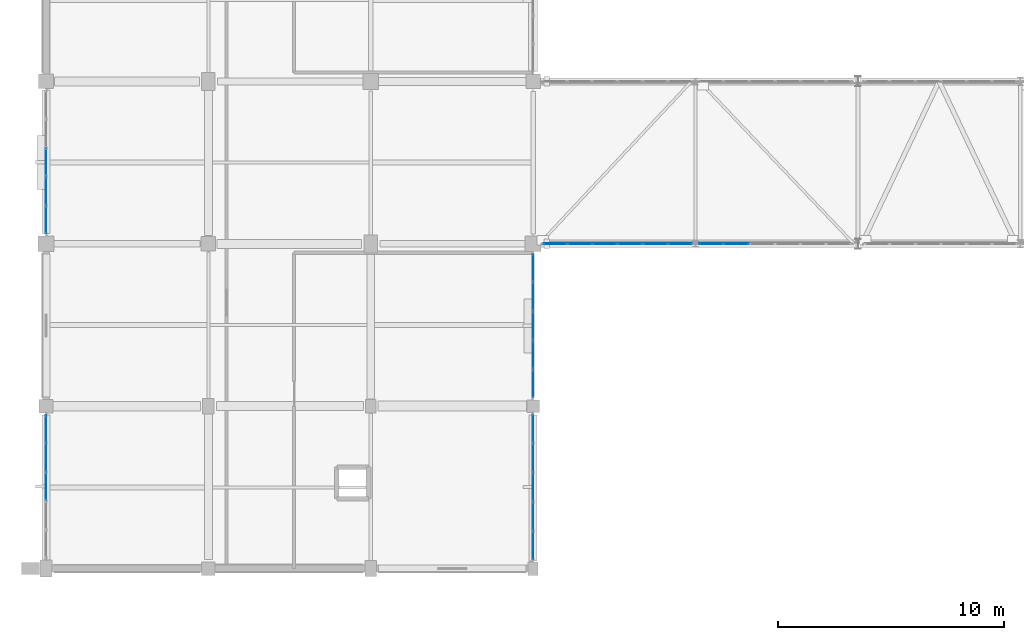
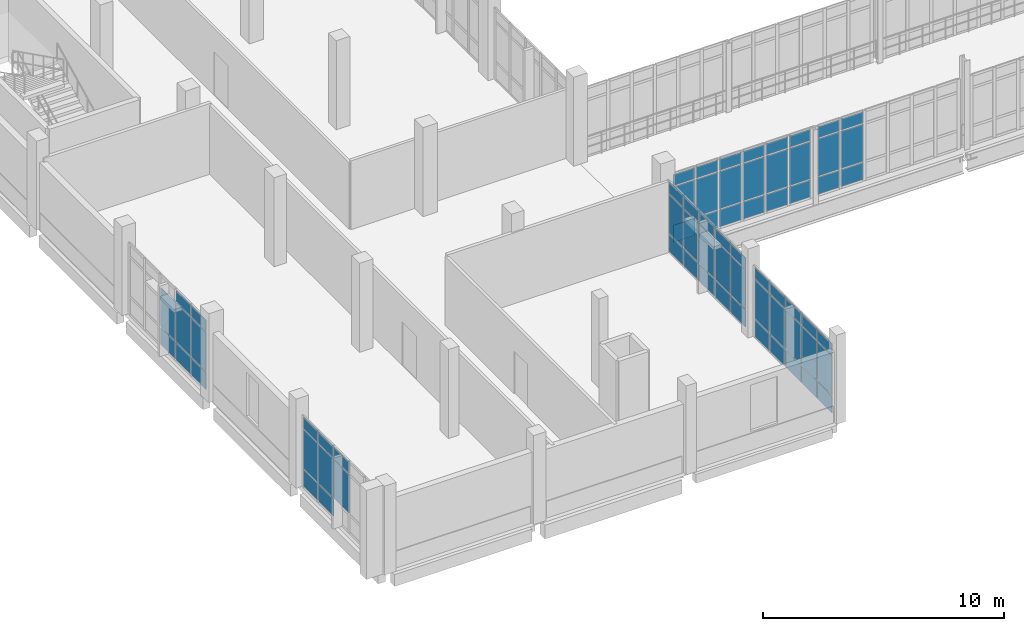
# One storey, part 87 of 124: 70 plates, 6 elements without a shape of their own.
"""IFC4 building model written with IfcOpenShell, lengths in metres."""

from ifc_helpers import new_model, si_unit, direction, frame, origin, origin_2d, place, context, subcontext, project, spatial, rectangle, extrude, material, layer, layer_set, type_object, element, aggregate, save


model = new_model("IFC4")

# Units and contexts
model_context = context("Model", 3, precision=1e-05, world=origin(), true_north=direction((0.0, 1.0)))
body_context = subcontext(model_context, "Body", "Model", "MODEL_VIEW")
ifc_project = project(units=[si_unit("LENGTHUNIT", "METRE"), si_unit("AREAUNIT", "SQUARE_METRE"), si_unit("VOLUMEUNIT", "CUBIC_METRE"), si_unit("PLANEANGLEUNIT", "RADIAN"), si_unit("MASSUNIT", "GRAM", prefix="KILO")], contexts=[model_context])

# Site, building, storey
site_placement = place(None, origin())
site = spatial("IfcSite", under=ifc_project, at=site_placement, CompositionType="ELEMENT")
building_placement = place(site_placement, origin())
building = spatial("IfcBuilding", under=site, at=building_placement, Name="Kalluvel Institute of Natural Sciences", CompositionType="ELEMENT")
storey_placement = place(building_placement, frame((0.0, 0.0, 9.89990234375)))
storey = spatial("IfcBuildingStorey", under=building, at=storey_placement, Name="L02", CompositionType="ELEMENT", Elevation=9.89990234375)

# Curtain wall, plates
ifc_material_1 = material(Name="Aluminium AW-6063 T6", Category="aluminium")
curtain_wall_type_1 = type_object("IfcCurtainWallType", Name="CW-DRY-45", PredefinedType="USERDEFINED", material=ifc_material_1)
curtain_wall_1_placement = place(storey_placement, origin())
curtain_wall_1 = element("IfcCurtainWall", 1, at=curtain_wall_1_placement, inside=storey, type_object=curtain_wall_type_1, Name="L02 Gothic lancet curtain wall CWA-L02-X140-Y144", ObjectType="UNITISED LANCET FACADE", PredefinedType="USERDEFINED")
ifc_material_2 = material(Name="Solar-Control Low-E Laminated Glass", Category="glass")
ifc_layer_1 = layer(ifc_material_2, 0.028076171875)
ifc_layer_set_1 = layer_set([ifc_layer_1], Name="Solar-Control Low-E Laminated Glass")
plate_type_1 = type_object("IfcPlateType", Name="CWP-DGU-28", PredefinedType="CURTAIN_PANEL", material=ifc_layer_set_1)
plate_1_placement = place(storey_placement, frame((14.0, 17.637451171875, 0.980224609375), z_axis=(0.0, 0.0, 1.0), x_axis=(0.0, 1.0, 0.0)))
plate_1 = element("IfcPlate", 2, at=plate_1_placement, type_object=plate_type_1, Name="CW-03 panel 3.2", PredefinedType="CURTAIN_PANEL", context=body_context, shape_type="SweptSolid", body=[
    extrude(rectangle(XDim=1.22509765625, YDim=0.028076171875, at=origin_2d()), origin(), (0.0, 0.0, 1.0), 1.9599609375),
])
plate_2_placement = place(storey_placement, frame((14.0, 17.637451171875, 3.0), z_axis=(0.0, 0.0, 1.0), x_axis=(0.0, 1.0, 0.0)))
plate_2 = element("IfcPlate", 3, at=plate_2_placement, type_object=plate_type_1, Name="CW-03 panel 3.3", PredefinedType="CURTAIN_PANEL", context=body_context, shape_type="SweptSolid", body=[
    extrude(rectangle(XDim=1.22509765625, YDim=0.028076171875, at=origin_2d()), origin(), (0.0, 0.0, 1.0), 0.56005859375),
])
plate_3_placement = place(storey_placement, frame((14.0, 18.922607421875, 0.06005859375), z_axis=(0.0, 0.0, 1.0), x_axis=(0.0, 1.0, 0.0)))
plate_3 = element("IfcPlate", 4, at=plate_3_placement, type_object=plate_type_1, Name="CW-03 panel 4.1", PredefinedType="CURTAIN_PANEL", context=body_context, shape_type="SweptSolid", body=[
    extrude(rectangle(XDim=1.22509765625, YDim=0.028076171875, at=origin_2d()), origin(), (0.0, 0.0, 1.0), 0.860107421875),
])
plate_4_placement = place(storey_placement, frame((14.0, 18.922607421875, 0.980224609375), z_axis=(0.0, 0.0, 1.0), x_axis=(0.0, 1.0, 0.0)))
plate_4 = element("IfcPlate", 5, at=plate_4_placement, type_object=plate_type_1, Name="CW-03 panel 4.2", PredefinedType="CURTAIN_PANEL", context=body_context, shape_type="SweptSolid", body=[
    extrude(rectangle(XDim=1.22509765625, YDim=0.028076171875, at=origin_2d()), origin(), (0.0, 0.0, 1.0), 1.9599609375),
])
plate_5_placement = place(storey_placement, frame((14.0, 18.922607421875, 3.0), z_axis=(0.0, 0.0, 1.0), x_axis=(0.0, 1.0, 0.0)))
plate_5 = element("IfcPlate", 6, at=plate_5_placement, type_object=plate_type_1, Name="CW-03 panel 4.3", PredefinedType="CURTAIN_PANEL", context=body_context, shape_type="SweptSolid", body=[
    extrude(rectangle(XDim=1.22509765625, YDim=0.028076171875, at=origin_2d()), origin(), (0.0, 0.0, 1.0), 0.56005859375),
])
plate_6_placement = place(storey_placement, frame((14.0, 20.1923828125, 0.06005859375), z_axis=(0.0, 0.0, 1.0), x_axis=(0.0, 1.0, 0.0)))
plate_6 = element("IfcPlate", 7, at=plate_6_placement, type_object=plate_type_1, Name="CW-03 panel 5.1", PredefinedType="CURTAIN_PANEL", context=body_context, shape_type="SweptSolid", body=[
    extrude(rectangle(XDim=1.195068359375, YDim=0.028076171875, at=origin_2d()), origin(), (0.0, 0.0, 1.0), 0.860107421875),
])
plate_7_placement = place(storey_placement, frame((14.0, 20.1923828125, 0.980224609375), z_axis=(0.0, 0.0, 1.0), x_axis=(0.0, 1.0, 0.0)))
plate_7 = element("IfcPlate", 8, at=plate_7_placement, type_object=plate_type_1, Name="CW-03 panel 5.2", PredefinedType="CURTAIN_PANEL", context=body_context, shape_type="SweptSolid", body=[
    extrude(rectangle(XDim=1.195068359375, YDim=0.028076171875, at=origin_2d()), origin(), (0.0, 0.0, 1.0), 1.9599609375),
])
plate_8_placement = place(storey_placement, frame((14.0, 20.1923828125, 3.0), z_axis=(0.0, 0.0, 1.0), x_axis=(0.0, 1.0, 0.0)))
plate_8 = element("IfcPlate", 9, at=plate_8_placement, type_object=plate_type_1, Name="CW-03 panel 5.3", PredefinedType="CURTAIN_PANEL", context=body_context, shape_type="SweptSolid", body=[
    extrude(rectangle(XDim=1.195068359375, YDim=0.028076171875, at=origin_2d()), origin(), (0.0, 0.0, 1.0), 0.56005859375),
])
aggregate(curtain_wall_1, [plate_1, plate_2, plate_3, plate_4, plate_5, plate_6, plate_7, plate_8])

curtain_wall_2_placement = place(storey_placement, origin())
curtain_wall_2 = element("IfcCurtainWall", 10, at=curtain_wall_2_placement, inside=storey, type_object=curtain_wall_type_1, Name="L02 Gothic lancet curtain wall CWA-L02-X140-Y288", ObjectType="UNITISED LANCET FACADE", PredefinedType="USERDEFINED")
plate_9_placement = place(storey_placement, frame((14.0, 29.45751953125, 0.06005859375), z_axis=(0.0, 0.0, 1.0), x_axis=(0.0, 1.0, 0.0)))
plate_9 = element("IfcPlate", 11, at=plate_9_placement, type_object=plate_type_1, Name="CW-03 panel 1.1", PredefinedType="CURTAIN_PANEL", context=body_context, shape_type="SweptSolid", body=[
    extrude(rectangle(XDim=1.195068359375, YDim=0.028076171875, at=origin_2d()), origin(), (0.0, 0.0, 1.0), 0.860107421875),
])
plate_10_placement = place(storey_placement, frame((14.0, 29.45751953125, 0.980224609375), z_axis=(0.0, 0.0, 1.0), x_axis=(0.0, 1.0, 0.0)))
plate_10 = element("IfcPlate", 12, at=plate_10_placement, type_object=plate_type_1, Name="CW-03 panel 1.2", PredefinedType="CURTAIN_PANEL", context=body_context, shape_type="SweptSolid", body=[
    extrude(rectangle(XDim=1.195068359375, YDim=0.028076171875, at=origin_2d()), origin(), (0.0, 0.0, 1.0), 1.9599609375),
])
plate_11_placement = place(storey_placement, frame((14.0, 29.45751953125, 3.0), z_axis=(0.0, 0.0, 1.0), x_axis=(0.0, 1.0, 0.0)))
plate_11 = element("IfcPlate", 13, at=plate_11_placement, type_object=plate_type_1, Name="CW-03 panel 1.3", PredefinedType="CURTAIN_PANEL", context=body_context, shape_type="SweptSolid", body=[
    extrude(rectangle(XDim=1.195068359375, YDim=0.028076171875, at=origin_2d()), origin(), (0.0, 0.0, 1.0), 0.56005859375),
])
plate_12_placement = place(storey_placement, frame((14.0, 30.7275390625, 0.06005859375), z_axis=(0.0, 0.0, 1.0), x_axis=(0.0, 1.0, 0.0)))
plate_12 = element("IfcPlate", 14, at=plate_12_placement, type_object=plate_type_1, Name="CW-03 panel 2.1", PredefinedType="CURTAIN_PANEL", context=body_context, shape_type="SweptSolid", body=[
    extrude(rectangle(XDim=1.22509765625, YDim=0.028076171875, at=origin_2d()), origin(), (0.0, 0.0, 1.0), 0.860107421875),
])
plate_13_placement = place(storey_placement, frame((14.0, 30.7275390625, 0.980224609375), z_axis=(0.0, 0.0, 1.0), x_axis=(0.0, 1.0, 0.0)))
plate_13 = element("IfcPlate", 15, at=plate_13_placement, type_object=plate_type_1, Name="CW-03 panel 2.2", PredefinedType="CURTAIN_PANEL", context=body_context, shape_type="SweptSolid", body=[
    extrude(rectangle(XDim=1.22509765625, YDim=0.028076171875, at=origin_2d()), origin(), (0.0, 0.0, 1.0), 1.9599609375),
])
plate_14_placement = place(storey_placement, frame((14.0, 30.7275390625, 3.0), z_axis=(0.0, 0.0, 1.0), x_axis=(0.0, 1.0, 0.0)))
plate_14 = element("IfcPlate", 16, at=plate_14_placement, type_object=plate_type_1, Name="CW-03 panel 2.3", PredefinedType="CURTAIN_PANEL", context=body_context, shape_type="SweptSolid", body=[
    extrude(rectangle(XDim=1.22509765625, YDim=0.028076171875, at=origin_2d()), origin(), (0.0, 0.0, 1.0), 0.56005859375),
])
plate_15_placement = place(storey_placement, frame((14.0, 32.012451171875, 0.06005859375), z_axis=(0.0, 0.0, 1.0), x_axis=(0.0, 1.0, 0.0)))
plate_15 = element("IfcPlate", 17, at=plate_15_placement, type_object=plate_type_1, Name="CW-03 panel 3.1", PredefinedType="CURTAIN_PANEL", context=body_context, shape_type="SweptSolid", body=[
    extrude(rectangle(XDim=1.22509765625, YDim=0.028076171875, at=origin_2d()), origin(), (0.0, 0.0, 1.0), 0.860107421875),
])
plate_16_placement = place(storey_placement, frame((14.0, 32.012451171875, 0.980224609375), z_axis=(0.0, 0.0, 1.0), x_axis=(0.0, 1.0, 0.0)))
plate_16 = element("IfcPlate", 18, at=plate_16_placement, type_object=plate_type_1, Name="CW-03 panel 3.2", PredefinedType="CURTAIN_PANEL", context=body_context, shape_type="SweptSolid", body=[
    extrude(rectangle(XDim=1.22509765625, YDim=0.028076171875, at=origin_2d()), origin(), (0.0, 0.0, 1.0), 1.9599609375),
])
aggregate(curtain_wall_2, [plate_9, plate_10, plate_11, plate_12, plate_13, plate_14, plate_15, plate_16])

curtain_wall_3_placement = place(storey_placement, origin())
curtain_wall_3 = element("IfcCurtainWall", 19, at=curtain_wall_3_placement, inside=storey, type_object=curtain_wall_type_1, Name="L02 Gothic lancet curtain wall CWA-L02-X356-Y144", ObjectType="UNITISED LANCET FACADE", PredefinedType="USERDEFINED")
plate_17_placement = place(storey_placement, frame((35.60009765625, 15.017578125, 0.06005859375), z_axis=(0.0, 0.0, 1.0), x_axis=(0.0, 1.0, 0.0)))
plate_17 = element("IfcPlate", 20, at=plate_17_placement, type_object=plate_type_1, Name="CW-03 panel 1.1", PredefinedType="CURTAIN_PANEL", context=body_context, shape_type="SweptSolid", body=[
    extrude(rectangle(XDim=1.215087890625, YDim=0.028076171875, at=origin_2d()), origin(), (0.0, 0.0, 1.0), 0.860107421875),
])
plate_18_placement = place(storey_placement, frame((35.60009765625, 15.017578125, 0.980224609375), z_axis=(0.0, 0.0, 1.0), x_axis=(0.0, 1.0, 0.0)))
plate_18 = element("IfcPlate", 21, at=plate_18_placement, type_object=plate_type_1, Name="CW-03 panel 1.2", PredefinedType="CURTAIN_PANEL", context=body_context, shape_type="SweptSolid", body=[
    extrude(rectangle(XDim=1.215087890625, YDim=0.028076171875, at=origin_2d()), origin(), (0.0, 0.0, 1.0), 1.9599609375),
])
plate_19_placement = place(storey_placement, frame((35.60009765625, 15.017578125, 3.0), z_axis=(0.0, 0.0, 1.0), x_axis=(0.0, 1.0, 0.0)))
plate_19 = element("IfcPlate", 22, at=plate_19_placement, type_object=plate_type_1, Name="CW-03 panel 1.3", PredefinedType="CURTAIN_PANEL", context=body_context, shape_type="SweptSolid", body=[
    extrude(rectangle(XDim=1.215087890625, YDim=0.028076171875, at=origin_2d()), origin(), (0.0, 0.0, 1.0), 0.56005859375),
])
plate_20_placement = place(storey_placement, frame((35.60009765625, 16.3076171875, 0.06005859375), z_axis=(0.0, 0.0, 1.0), x_axis=(0.0, 1.0, 0.0)))
plate_20 = element("IfcPlate", 23, at=plate_20_placement, type_object=plate_type_1, Name="CW-03 panel 2.1", PredefinedType="CURTAIN_PANEL", context=body_context, shape_type="SweptSolid", body=[
    extrude(rectangle(XDim=1.2451171875, YDim=0.028076171875, at=origin_2d()), origin(), (0.0, 0.0, 1.0), 0.860107421875),
])
plate_21_placement = place(storey_placement, frame((35.60009765625, 16.3076171875, 0.980224609375), z_axis=(0.0, 0.0, 1.0), x_axis=(0.0, 1.0, 0.0)))
plate_21 = element("IfcPlate", 24, at=plate_21_placement, type_object=plate_type_1, Name="CW-03 panel 2.2", PredefinedType="CURTAIN_PANEL", context=body_context, shape_type="SweptSolid", body=[
    extrude(rectangle(XDim=1.2451171875, YDim=0.028076171875, at=origin_2d()), origin(), (0.0, 0.0, 1.0), 1.9599609375),
])
plate_22_placement = place(storey_placement, frame((35.60009765625, 16.3076171875, 3.0), z_axis=(0.0, 0.0, 1.0), x_axis=(0.0, 1.0, 0.0)))
plate_22 = element("IfcPlate", 25, at=plate_22_placement, type_object=plate_type_1, Name="CW-03 panel 2.3", PredefinedType="CURTAIN_PANEL", context=body_context, shape_type="SweptSolid", body=[
    extrude(rectangle(XDim=1.2451171875, YDim=0.028076171875, at=origin_2d()), origin(), (0.0, 0.0, 1.0), 0.56005859375),
])
plate_23_placement = place(storey_placement, frame((35.60009765625, 17.612548828125, 0.06005859375), z_axis=(0.0, 0.0, 1.0), x_axis=(0.0, 1.0, 0.0)))
plate_23 = element("IfcPlate", 26, at=plate_23_placement, type_object=plate_type_1, Name="CW-03 panel 3.1", PredefinedType="CURTAIN_PANEL", context=body_context, shape_type="SweptSolid", body=[
    extrude(rectangle(XDim=1.2451171875, YDim=0.028076171875, at=origin_2d()), origin(), (0.0, 0.0, 1.0), 0.860107421875),
])
plate_24_placement = place(storey_placement, frame((35.60009765625, 17.612548828125, 0.980224609375), z_axis=(0.0, 0.0, 1.0), x_axis=(0.0, 1.0, 0.0)))
plate_24 = element("IfcPlate", 27, at=plate_24_placement, type_object=plate_type_1, Name="CW-03 panel 3.2", PredefinedType="CURTAIN_PANEL", context=body_context, shape_type="SweptSolid", body=[
    extrude(rectangle(XDim=1.2451171875, YDim=0.028076171875, at=origin_2d()), origin(), (0.0, 0.0, 1.0), 1.9599609375),
])
plate_25_placement = place(storey_placement, frame((35.60009765625, 17.612548828125, 3.0), z_axis=(0.0, 0.0, 1.0), x_axis=(0.0, 1.0, 0.0)))
plate_25 = element("IfcPlate", 28, at=plate_25_placement, type_object=plate_type_1, Name="CW-03 panel 3.3", PredefinedType="CURTAIN_PANEL", context=body_context, shape_type="SweptSolid", body=[
    extrude(rectangle(XDim=1.2451171875, YDim=0.028076171875, at=origin_2d()), origin(), (0.0, 0.0, 1.0), 0.56005859375),
])
plate_26_placement = place(storey_placement, frame((35.60009765625, 18.91748046875, 0.06005859375), z_axis=(0.0, 0.0, 1.0), x_axis=(0.0, 1.0, 0.0)))
plate_26 = element("IfcPlate", 29, at=plate_26_placement, type_object=plate_type_1, Name="CW-03 panel 4.1", PredefinedType="CURTAIN_PANEL", context=body_context, shape_type="SweptSolid", body=[
    extrude(rectangle(XDim=1.2451171875, YDim=0.028076171875, at=origin_2d()), origin(), (0.0, 0.0, 1.0), 0.860107421875),
])
plate_27_placement = place(storey_placement, frame((35.60009765625, 18.91748046875, 0.980224609375), z_axis=(0.0, 0.0, 1.0), x_axis=(0.0, 1.0, 0.0)))
plate_27 = element("IfcPlate", 30, at=plate_27_placement, type_object=plate_type_1, Name="CW-03 panel 4.2", PredefinedType="CURTAIN_PANEL", context=body_context, shape_type="SweptSolid", body=[
    extrude(rectangle(XDim=1.2451171875, YDim=0.028076171875, at=origin_2d()), origin(), (0.0, 0.0, 1.0), 1.9599609375),
])
plate_28_placement = place(storey_placement, frame((35.60009765625, 18.91748046875, 3.0), z_axis=(0.0, 0.0, 1.0), x_axis=(0.0, 1.0, 0.0)))
plate_28 = element("IfcPlate", 31, at=plate_28_placement, type_object=plate_type_1, Name="CW-03 panel 4.3", PredefinedType="CURTAIN_PANEL", context=body_context, shape_type="SweptSolid", body=[
    extrude(rectangle(XDim=1.2451171875, YDim=0.028076171875, at=origin_2d()), origin(), (0.0, 0.0, 1.0), 0.56005859375),
])
plate_29_placement = place(storey_placement, frame((35.60009765625, 20.20751953125, 0.06005859375), z_axis=(0.0, 0.0, 1.0), x_axis=(0.0, 1.0, 0.0)))
plate_29 = element("IfcPlate", 32, at=plate_29_placement, type_object=plate_type_1, Name="CW-03 panel 5.1", PredefinedType="CURTAIN_PANEL", context=body_context, shape_type="SweptSolid", body=[
    extrude(rectangle(XDim=1.215087890625, YDim=0.028076171875, at=origin_2d()), origin(), (0.0, 0.0, 1.0), 0.860107421875),
])
plate_30_placement = place(storey_placement, frame((35.60009765625, 20.20751953125, 0.980224609375), z_axis=(0.0, 0.0, 1.0), x_axis=(0.0, 1.0, 0.0)))
plate_30 = element("IfcPlate", 33, at=plate_30_placement, type_object=plate_type_1, Name="CW-03 panel 5.2", PredefinedType="CURTAIN_PANEL", context=body_context, shape_type="SweptSolid", body=[
    extrude(rectangle(XDim=1.215087890625, YDim=0.028076171875, at=origin_2d()), origin(), (0.0, 0.0, 1.0), 1.9599609375),
])
plate_31_placement = place(storey_placement, frame((35.60009765625, 20.20751953125, 3.0), z_axis=(0.0, 0.0, 1.0), x_axis=(0.0, 1.0, 0.0)))
plate_31 = element("IfcPlate", 34, at=plate_31_placement, type_object=plate_type_1, Name="CW-03 panel 5.3", PredefinedType="CURTAIN_PANEL", context=body_context, shape_type="SweptSolid", body=[
    extrude(rectangle(XDim=1.215087890625, YDim=0.028076171875, at=origin_2d()), origin(), (0.0, 0.0, 1.0), 0.56005859375),
])
aggregate(curtain_wall_3, [plate_17, plate_18, plate_19, plate_20, plate_21, plate_22, plate_23, plate_24, plate_25, plate_26, plate_27, plate_28, plate_29, plate_30, plate_31])

curtain_wall_4_placement = place(storey_placement, origin())
curtain_wall_4 = element("IfcCurtainWall", 35, at=curtain_wall_4_placement, inside=storey, type_object=curtain_wall_type_1, Name="L02 Gothic lancet curtain wall CWA-L02-X356-Y215", ObjectType="UNITISED LANCET FACADE", PredefinedType="USERDEFINED")
plate_32_placement = place(storey_placement, frame((35.60009765625, 22.1875, 0.06005859375), z_axis=(0.0, 0.0, 1.0), x_axis=(0.0, 1.0, 0.0)))
plate_32 = element("IfcPlate", 36, at=plate_32_placement, type_object=plate_type_1, Name="CW-03 panel 1.1", PredefinedType="CURTAIN_PANEL", context=body_context, shape_type="SweptSolid", body=[
    extrude(rectangle(XDim=1.205078125, YDim=0.028076171875, at=origin_2d()), origin(), (0.0, 0.0, 1.0), 0.860107421875),
])
plate_33_placement = place(storey_placement, frame((35.60009765625, 22.1875, 0.980224609375), z_axis=(0.0, 0.0, 1.0), x_axis=(0.0, 1.0, 0.0)))
plate_33 = element("IfcPlate", 37, at=plate_33_placement, type_object=plate_type_1, Name="CW-03 panel 1.2", PredefinedType="CURTAIN_PANEL", context=body_context, shape_type="SweptSolid", body=[
    extrude(rectangle(XDim=1.205078125, YDim=0.028076171875, at=origin_2d()), origin(), (0.0, 0.0, 1.0), 1.9599609375),
])
plate_34_placement = place(storey_placement, frame((35.60009765625, 22.1875, 3.0), z_axis=(0.0, 0.0, 1.0), x_axis=(0.0, 1.0, 0.0)))
plate_34 = element("IfcPlate", 38, at=plate_34_placement, type_object=plate_type_1, Name="CW-03 panel 1.3", PredefinedType="CURTAIN_PANEL", context=body_context, shape_type="SweptSolid", body=[
    extrude(rectangle(XDim=1.205078125, YDim=0.028076171875, at=origin_2d()), origin(), (0.0, 0.0, 1.0), 0.56005859375),
])
plate_35_placement = place(storey_placement, frame((35.60009765625, 23.467529296875, 0.06005859375), z_axis=(0.0, 0.0, 1.0), x_axis=(0.0, 1.0, 0.0)))
plate_35 = element("IfcPlate", 39, at=plate_35_placement, type_object=plate_type_1, Name="CW-03 panel 2.1", PredefinedType="CURTAIN_PANEL", context=body_context, shape_type="SweptSolid", body=[
    extrude(rectangle(XDim=1.235107421875, YDim=0.028076171875, at=origin_2d()), origin(), (0.0, 0.0, 1.0), 0.860107421875),
])
plate_36_placement = place(storey_placement, frame((35.60009765625, 23.467529296875, 0.980224609375), z_axis=(0.0, 0.0, 1.0), x_axis=(0.0, 1.0, 0.0)))
plate_36 = element("IfcPlate", 40, at=plate_36_placement, type_object=plate_type_1, Name="CW-03 panel 2.2", PredefinedType="CURTAIN_PANEL", context=body_context, shape_type="SweptSolid", body=[
    extrude(rectangle(XDim=1.235107421875, YDim=0.028076171875, at=origin_2d()), origin(), (0.0, 0.0, 1.0), 1.9599609375),
])
plate_37_placement = place(storey_placement, frame((35.60009765625, 23.467529296875, 3.0), z_axis=(0.0, 0.0, 1.0), x_axis=(0.0, 1.0, 0.0)))
plate_37 = element("IfcPlate", 41, at=plate_37_placement, type_object=plate_type_1, Name="CW-03 panel 2.3", PredefinedType="CURTAIN_PANEL", context=body_context, shape_type="SweptSolid", body=[
    extrude(rectangle(XDim=1.235107421875, YDim=0.028076171875, at=origin_2d()), origin(), (0.0, 0.0, 1.0), 0.56005859375),
])
plate_38_placement = place(storey_placement, frame((35.60009765625, 24.762451171875, 0.06005859375), z_axis=(0.0, 0.0, 1.0), x_axis=(0.0, 1.0, 0.0)))
plate_38 = element("IfcPlate", 42, at=plate_38_placement, type_object=plate_type_1, Name="CW-03 panel 3.1", PredefinedType="CURTAIN_PANEL", context=body_context, shape_type="SweptSolid", body=[
    extrude(rectangle(XDim=1.235107421875, YDim=0.028076171875, at=origin_2d()), origin(), (0.0, 0.0, 1.0), 0.860107421875),
])
plate_39_placement = place(storey_placement, frame((35.60009765625, 24.762451171875, 0.980224609375), z_axis=(0.0, 0.0, 1.0), x_axis=(0.0, 1.0, 0.0)))
plate_39 = element("IfcPlate", 43, at=plate_39_placement, type_object=plate_type_1, Name="CW-03 panel 3.2", PredefinedType="CURTAIN_PANEL", context=body_context, shape_type="SweptSolid", body=[
    extrude(rectangle(XDim=1.235107421875, YDim=0.028076171875, at=origin_2d()), origin(), (0.0, 0.0, 1.0), 1.9599609375),
])
plate_40_placement = place(storey_placement, frame((35.60009765625, 24.762451171875, 3.0), z_axis=(0.0, 0.0, 1.0), x_axis=(0.0, 1.0, 0.0)))
plate_40 = element("IfcPlate", 44, at=plate_40_placement, type_object=plate_type_1, Name="CW-03 panel 3.3", PredefinedType="CURTAIN_PANEL", context=body_context, shape_type="SweptSolid", body=[
    extrude(rectangle(XDim=1.235107421875, YDim=0.028076171875, at=origin_2d()), origin(), (0.0, 0.0, 1.0), 0.56005859375),
])
plate_41_placement = place(storey_placement, frame((35.60009765625, 26.0576171875, 0.06005859375), z_axis=(0.0, 0.0, 1.0), x_axis=(0.0, 1.0, 0.0)))
plate_41 = element("IfcPlate", 45, at=plate_41_placement, type_object=plate_type_1, Name="CW-03 panel 4.1", PredefinedType="CURTAIN_PANEL", context=body_context, shape_type="SweptSolid", body=[
    extrude(rectangle(XDim=1.235107421875, YDim=0.028076171875, at=origin_2d()), origin(), (0.0, 0.0, 1.0), 0.860107421875),
])
plate_42_placement = place(storey_placement, frame((35.60009765625, 26.0576171875, 0.980224609375), z_axis=(0.0, 0.0, 1.0), x_axis=(0.0, 1.0, 0.0)))
plate_42 = element("IfcPlate", 46, at=plate_42_placement, type_object=plate_type_1, Name="CW-03 panel 4.2", PredefinedType="CURTAIN_PANEL", context=body_context, shape_type="SweptSolid", body=[
    extrude(rectangle(XDim=1.235107421875, YDim=0.028076171875, at=origin_2d()), origin(), (0.0, 0.0, 1.0), 1.9599609375),
])
plate_43_placement = place(storey_placement, frame((35.60009765625, 26.0576171875, 3.0), z_axis=(0.0, 0.0, 1.0), x_axis=(0.0, 1.0, 0.0)))
plate_43 = element("IfcPlate", 47, at=plate_43_placement, type_object=plate_type_1, Name="CW-03 panel 4.3", PredefinedType="CURTAIN_PANEL", context=body_context, shape_type="SweptSolid", body=[
    extrude(rectangle(XDim=1.235107421875, YDim=0.028076171875, at=origin_2d()), origin(), (0.0, 0.0, 1.0), 0.56005859375),
])
plate_44_placement = place(storey_placement, frame((35.60009765625, 27.33740234375, 0.06005859375), z_axis=(0.0, 0.0, 1.0), x_axis=(0.0, 1.0, 0.0)))
plate_44 = element("IfcPlate", 48, at=plate_44_placement, type_object=plate_type_1, Name="CW-03 panel 5.1", PredefinedType="CURTAIN_PANEL", context=body_context, shape_type="SweptSolid", body=[
    extrude(rectangle(XDim=1.205078125, YDim=0.028076171875, at=origin_2d()), origin(), (0.0, 0.0, 1.0), 0.860107421875),
])
plate_45_placement = place(storey_placement, frame((35.60009765625, 27.33740234375, 0.980224609375), z_axis=(0.0, 0.0, 1.0), x_axis=(0.0, 1.0, 0.0)))
plate_45 = element("IfcPlate", 49, at=plate_45_placement, type_object=plate_type_1, Name="CW-03 panel 5.2", PredefinedType="CURTAIN_PANEL", context=body_context, shape_type="SweptSolid", body=[
    extrude(rectangle(XDim=1.205078125, YDim=0.028076171875, at=origin_2d()), origin(), (0.0, 0.0, 1.0), 1.9599609375),
])
plate_46_placement = place(storey_placement, frame((35.60009765625, 27.33740234375, 3.0), z_axis=(0.0, 0.0, 1.0), x_axis=(0.0, 1.0, 0.0)))
plate_46 = element("IfcPlate", 50, at=plate_46_placement, type_object=plate_type_1, Name="CW-03 panel 5.3", PredefinedType="CURTAIN_PANEL", context=body_context, shape_type="SweptSolid", body=[
    extrude(rectangle(XDim=1.205078125, YDim=0.028076171875, at=origin_2d()), origin(), (0.0, 0.0, 1.0), 0.56005859375),
])
aggregate(curtain_wall_4, [plate_32, plate_33, plate_34, plate_35, plate_36, plate_37, plate_38, plate_39, plate_40, plate_41, plate_42, plate_43, plate_44, plate_45, plate_46])

curtain_wall_type_2 = type_object("IfcCurtainWallType", Name="CW-BRG-45", PredefinedType="USERDEFINED", material=ifc_material_1)
curtain_wall_5_placement = place(storey_placement, origin())
curtain_wall_5 = element("IfcCurtainWall", 51, at=curtain_wall_5_placement, inside=storey, type_object=curtain_wall_type_2, Name="L02 Gothic lancet curtain wall CWA-L02-X360-Y284", ObjectType="UNITISED LANCET FACADE", PredefinedType="USERDEFINED")
ifc_layer_2 = layer(ifc_material_2, 0.031982421875)
ifc_layer_set_2 = layer_set([ifc_layer_2], Name="Solar-Control Low-E Laminated Glass")
plate_type_2 = type_object("IfcPlateType", Name="CWP-DGU-32", PredefinedType="CURTAIN_PANEL", material=ifc_layer_set_2)
plate_47_placement = place(storey_placement, frame((36.572509765625, 28.39990234375, 0.06005859375), z_axis=(0.0, 0.0, 1.0), x_axis=(1.0, 0.0, 0.0)))
plate_47 = element("IfcPlate", 52, at=plate_47_placement, type_object=plate_type_2, Name="CW-07 panel 1.1", PredefinedType="CURTAIN_PANEL", context=body_context, shape_type="SweptSolid", body=[
    extrude(rectangle(XDim=1.02490234375, YDim=0.031982421875, at=origin_2d()), origin(), (0.0, 0.0, 1.0), 0.860107421875),
])
plate_48_placement = place(storey_placement, frame((36.572509765625, 28.39990234375, 0.980224609375), z_axis=(0.0, 0.0, 1.0), x_axis=(1.0, 0.0, 0.0)))
plate_48 = element("IfcPlate", 53, at=plate_48_placement, type_object=plate_type_2, Name="CW-07 panel 1.2", PredefinedType="CURTAIN_PANEL", context=body_context, shape_type="SweptSolid", body=[
    extrude(rectangle(XDim=1.02490234375, YDim=0.031982421875, at=origin_2d()), origin(), (0.0, 0.0, 1.0), 1.8798828125),
])
plate_49_placement = place(storey_placement, frame((36.572509765625, 28.39990234375, 2.920166015625), z_axis=(0.0, 0.0, 1.0), x_axis=(1.0, 0.0, 0.0)))
plate_49 = element("IfcPlate", 54, at=plate_49_placement, type_object=plate_type_2, Name="CW-07 panel 1.3", PredefinedType="CURTAIN_PANEL", context=body_context, shape_type="SweptSolid", body=[
    extrude(rectangle(XDim=1.02490234375, YDim=0.031982421875, at=origin_2d()), origin(), (0.0, 0.0, 1.0), 0.56005859375),
])
plate_50_placement = place(storey_placement, frame((37.672607421875, 28.39990234375, 0.06005859375), z_axis=(0.0, 0.0, 1.0), x_axis=(1.0, 0.0, 0.0)))
plate_50 = element("IfcPlate", 55, at=plate_50_placement, type_object=plate_type_2, Name="CW-07 panel 2.1", PredefinedType="CURTAIN_PANEL", context=body_context, shape_type="SweptSolid", body=[
    extrude(rectangle(XDim=1.054931640625, YDim=0.031982421875, at=origin_2d()), origin(), (0.0, 0.0, 1.0), 0.860107421875),
])
plate_51_placement = place(storey_placement, frame((37.672607421875, 28.39990234375, 0.980224609375), z_axis=(0.0, 0.0, 1.0), x_axis=(1.0, 0.0, 0.0)))
plate_51 = element("IfcPlate", 56, at=plate_51_placement, type_object=plate_type_2, Name="CW-07 panel 2.2", PredefinedType="CURTAIN_PANEL", context=body_context, shape_type="SweptSolid", body=[
    extrude(rectangle(XDim=1.054931640625, YDim=0.031982421875, at=origin_2d()), origin(), (0.0, 0.0, 1.0), 1.8798828125),
])
plate_52_placement = place(storey_placement, frame((37.672607421875, 28.39990234375, 2.920166015625), z_axis=(0.0, 0.0, 1.0), x_axis=(1.0, 0.0, 0.0)))
plate_52 = element("IfcPlate", 57, at=plate_52_placement, type_object=plate_type_2, Name="CW-07 panel 2.3", PredefinedType="CURTAIN_PANEL", context=body_context, shape_type="SweptSolid", body=[
    extrude(rectangle(XDim=1.054931640625, YDim=0.031982421875, at=origin_2d()), origin(), (0.0, 0.0, 1.0), 0.56005859375),
])
plate_53_placement = place(storey_placement, frame((38.78759765625, 28.39990234375, 0.06005859375), z_axis=(0.0, 0.0, 1.0), x_axis=(1.0, 0.0, 0.0)))
plate_53 = element("IfcPlate", 58, at=plate_53_placement, type_object=plate_type_2, Name="CW-07 panel 3.1", PredefinedType="CURTAIN_PANEL", context=body_context, shape_type="SweptSolid", body=[
    extrude(rectangle(XDim=1.054931640625, YDim=0.031982421875, at=origin_2d()), origin(), (0.0, 0.0, 1.0), 0.860107421875),
])
plate_54_placement = place(storey_placement, frame((38.78759765625, 28.39990234375, 0.980224609375), z_axis=(0.0, 0.0, 1.0), x_axis=(1.0, 0.0, 0.0)))
plate_54 = element("IfcPlate", 59, at=plate_54_placement, type_object=plate_type_2, Name="CW-07 panel 3.2", PredefinedType="CURTAIN_PANEL", context=body_context, shape_type="SweptSolid", body=[
    extrude(rectangle(XDim=1.054931640625, YDim=0.031982421875, at=origin_2d()), origin(), (0.0, 0.0, 1.0), 1.8798828125),
])
plate_55_placement = place(storey_placement, frame((38.78759765625, 28.39990234375, 2.920166015625), z_axis=(0.0, 0.0, 1.0), x_axis=(1.0, 0.0, 0.0)))
plate_55 = element("IfcPlate", 60, at=plate_55_placement, type_object=plate_type_2, Name="CW-07 panel 3.3", PredefinedType="CURTAIN_PANEL", context=body_context, shape_type="SweptSolid", body=[
    extrude(rectangle(XDim=1.054931640625, YDim=0.031982421875, at=origin_2d()), origin(), (0.0, 0.0, 1.0), 0.56005859375),
])
plate_56_placement = place(storey_placement, frame((39.902587890625, 28.39990234375, 0.06005859375), z_axis=(0.0, 0.0, 1.0), x_axis=(1.0, 0.0, 0.0)))
plate_56 = element("IfcPlate", 61, at=plate_56_placement, type_object=plate_type_2, Name="CW-07 panel 4.1", PredefinedType="CURTAIN_PANEL", context=body_context, shape_type="SweptSolid", body=[
    extrude(rectangle(XDim=1.054931640625, YDim=0.031982421875, at=origin_2d()), origin(), (0.0, 0.0, 1.0), 0.860107421875),
])
plate_57_placement = place(storey_placement, frame((39.902587890625, 28.39990234375, 0.980224609375), z_axis=(0.0, 0.0, 1.0), x_axis=(1.0, 0.0, 0.0)))
plate_57 = element("IfcPlate", 62, at=plate_57_placement, type_object=plate_type_2, Name="CW-07 panel 4.2", PredefinedType="CURTAIN_PANEL", context=body_context, shape_type="SweptSolid", body=[
    extrude(rectangle(XDim=1.054931640625, YDim=0.031982421875, at=origin_2d()), origin(), (0.0, 0.0, 1.0), 1.8798828125),
])
plate_58_placement = place(storey_placement, frame((39.902587890625, 28.39990234375, 2.920166015625), z_axis=(0.0, 0.0, 1.0), x_axis=(1.0, 0.0, 0.0)))
plate_58 = element("IfcPlate", 63, at=plate_58_placement, type_object=plate_type_2, Name="CW-07 panel 4.3", PredefinedType="CURTAIN_PANEL", context=body_context, shape_type="SweptSolid", body=[
    extrude(rectangle(XDim=1.054931640625, YDim=0.031982421875, at=origin_2d()), origin(), (0.0, 0.0, 1.0), 0.56005859375),
])
plate_59_placement = place(storey_placement, frame((41.017578125, 28.39990234375, 0.06005859375), z_axis=(0.0, 0.0, 1.0), x_axis=(1.0, 0.0, 0.0)))
plate_59 = element("IfcPlate", 64, at=plate_59_placement, type_object=plate_type_2, Name="CW-07 panel 5.1", PredefinedType="CURTAIN_PANEL", context=body_context, shape_type="SweptSolid", body=[
    extrude(rectangle(XDim=1.054931640625, YDim=0.031982421875, at=origin_2d()), origin(), (0.0, 0.0, 1.0), 0.860107421875),
])
plate_60_placement = place(storey_placement, frame((41.017578125, 28.39990234375, 0.980224609375), z_axis=(0.0, 0.0, 1.0), x_axis=(1.0, 0.0, 0.0)))
plate_60 = element("IfcPlate", 65, at=plate_60_placement, type_object=plate_type_2, Name="CW-07 panel 5.2", PredefinedType="CURTAIN_PANEL", context=body_context, shape_type="SweptSolid", body=[
    extrude(rectangle(XDim=1.054931640625, YDim=0.031982421875, at=origin_2d()), origin(), (0.0, 0.0, 1.0), 1.8798828125),
])
plate_61_placement = place(storey_placement, frame((41.017578125, 28.39990234375, 2.920166015625), z_axis=(0.0, 0.0, 1.0), x_axis=(1.0, 0.0, 0.0)))
plate_61 = element("IfcPlate", 66, at=plate_61_placement, type_object=plate_type_2, Name="CW-07 panel 5.3", PredefinedType="CURTAIN_PANEL", context=body_context, shape_type="SweptSolid", body=[
    extrude(rectangle(XDim=1.054931640625, YDim=0.031982421875, at=origin_2d()), origin(), (0.0, 0.0, 1.0), 0.56005859375),
])
plate_62_placement = place(storey_placement, frame((42.117431640625, 28.39990234375, 0.06005859375), z_axis=(0.0, 0.0, 1.0), x_axis=(1.0, 0.0, 0.0)))
plate_62 = element("IfcPlate", 67, at=plate_62_placement, type_object=plate_type_2, Name="CW-07 panel 6.1", PredefinedType="CURTAIN_PANEL", context=body_context, shape_type="SweptSolid", body=[
    extrude(rectangle(XDim=1.02490234375, YDim=0.031982421875, at=origin_2d()), origin(), (0.0, 0.0, 1.0), 0.860107421875),
])
plate_63_placement = place(storey_placement, frame((42.117431640625, 28.39990234375, 0.980224609375), z_axis=(0.0, 0.0, 1.0), x_axis=(1.0, 0.0, 0.0)))
plate_63 = element("IfcPlate", 68, at=plate_63_placement, type_object=plate_type_2, Name="CW-07 panel 6.2", PredefinedType="CURTAIN_PANEL", context=body_context, shape_type="SweptSolid", body=[
    extrude(rectangle(XDim=1.02490234375, YDim=0.031982421875, at=origin_2d()), origin(), (0.0, 0.0, 1.0), 1.8798828125),
])
plate_64_placement = place(storey_placement, frame((42.117431640625, 28.39990234375, 2.920166015625), z_axis=(0.0, 0.0, 1.0), x_axis=(1.0, 0.0, 0.0)))
plate_64 = element("IfcPlate", 69, at=plate_64_placement, type_object=plate_type_2, Name="CW-07 panel 6.3", PredefinedType="CURTAIN_PANEL", context=body_context, shape_type="SweptSolid", body=[
    extrude(rectangle(XDim=1.02490234375, YDim=0.031982421875, at=origin_2d()), origin(), (0.0, 0.0, 1.0), 0.56005859375),
])
aggregate(curtain_wall_5, [plate_47, plate_48, plate_49, plate_50, plate_51, plate_52, plate_53, plate_54, plate_55, plate_56, plate_57, plate_58, plate_59, plate_60, plate_61, plate_62, plate_63, plate_64])

curtain_wall_6_placement = place(storey_placement, origin())
curtain_wall_6 = element("IfcCurtainWall", 70, at=curtain_wall_6_placement, inside=storey, type_object=curtain_wall_type_2, Name="L02 Gothic lancet curtain wall CWA-L02-X429-Y284", ObjectType="UNITISED LANCET FACADE", PredefinedType="USERDEFINED")
plate_65_placement = place(storey_placement, frame((43.492919921875, 28.39990234375, 0.06005859375), z_axis=(0.0, 0.0, 1.0), x_axis=(1.0, 0.0, 0.0)))
plate_65 = element("IfcPlate", 71, at=plate_65_placement, type_object=plate_type_2, Name="CW-07 panel 1.1", PredefinedType="CURTAIN_PANEL", context=body_context, shape_type="SweptSolid", body=[
    extrude(rectangle(XDim=1.0458984375, YDim=0.031982421875, at=origin_2d()), origin(), (0.0, 0.0, 1.0), 0.860107421875),
])
plate_66_placement = place(storey_placement, frame((43.492919921875, 28.39990234375, 0.980224609375), z_axis=(0.0, 0.0, 1.0), x_axis=(1.0, 0.0, 0.0)))
plate_66 = element("IfcPlate", 72, at=plate_66_placement, type_object=plate_type_2, Name="CW-07 panel 1.2", PredefinedType="CURTAIN_PANEL", context=body_context, shape_type="SweptSolid", body=[
    extrude(rectangle(XDim=1.0458984375, YDim=0.031982421875, at=origin_2d()), origin(), (0.0, 0.0, 1.0), 1.8798828125),
])
plate_67_placement = place(storey_placement, frame((43.492919921875, 28.39990234375, 2.920166015625), z_axis=(0.0, 0.0, 1.0), x_axis=(1.0, 0.0, 0.0)))
plate_67 = element("IfcPlate", 73, at=plate_67_placement, type_object=plate_type_2, Name="CW-07 panel 1.3", PredefinedType="CURTAIN_PANEL", context=body_context, shape_type="SweptSolid", body=[
    extrude(rectangle(XDim=1.0458984375, YDim=0.031982421875, at=origin_2d()), origin(), (0.0, 0.0, 1.0), 0.56005859375),
])
plate_68_placement = place(storey_placement, frame((44.61376953125, 28.39990234375, 0.06005859375), z_axis=(0.0, 0.0, 1.0), x_axis=(1.0, 0.0, 0.0)))
plate_68 = element("IfcPlate", 74, at=plate_68_placement, type_object=plate_type_2, Name="CW-07 panel 2.1", PredefinedType="CURTAIN_PANEL", context=body_context, shape_type="SweptSolid", body=[
    extrude(rectangle(XDim=1.075927734375, YDim=0.031982421875, at=origin_2d()), origin(), (0.0, 0.0, 1.0), 0.860107421875),
])
plate_69_placement = place(storey_placement, frame((44.61376953125, 28.39990234375, 0.980224609375), z_axis=(0.0, 0.0, 1.0), x_axis=(1.0, 0.0, 0.0)))
plate_69 = element("IfcPlate", 75, at=plate_69_placement, type_object=plate_type_2, Name="CW-07 panel 2.2", PredefinedType="CURTAIN_PANEL", context=body_context, shape_type="SweptSolid", body=[
    extrude(rectangle(XDim=1.075927734375, YDim=0.031982421875, at=origin_2d()), origin(), (0.0, 0.0, 1.0), 1.8798828125),
])
plate_70_placement = place(storey_placement, frame((44.61376953125, 28.39990234375, 2.920166015625), z_axis=(0.0, 0.0, 1.0), x_axis=(1.0, 0.0, 0.0)))
plate_70 = element("IfcPlate", 76, at=plate_70_placement, type_object=plate_type_2, Name="CW-07 panel 2.3", PredefinedType="CURTAIN_PANEL", context=body_context, shape_type="SweptSolid", body=[
    extrude(rectangle(XDim=1.075927734375, YDim=0.031982421875, at=origin_2d()), origin(), (0.0, 0.0, 1.0), 0.56005859375),
])
aggregate(curtain_wall_6, [plate_65, plate_66, plate_67, plate_68, plate_69, plate_70])

save(model, "model.ifc")
